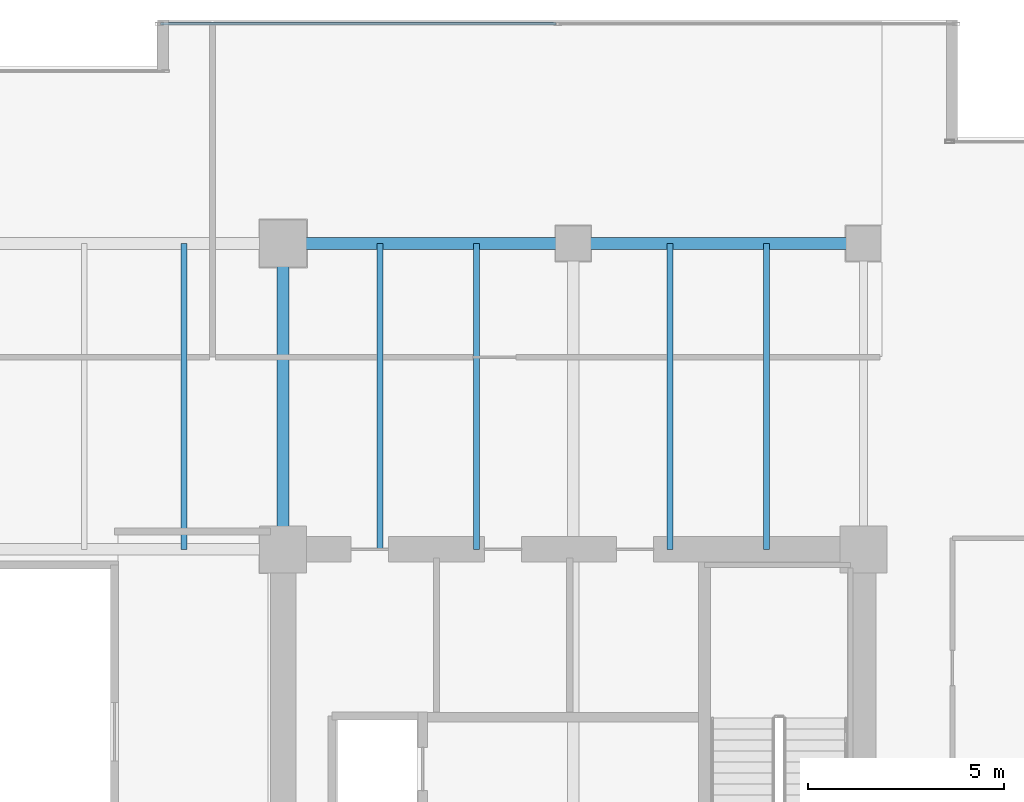
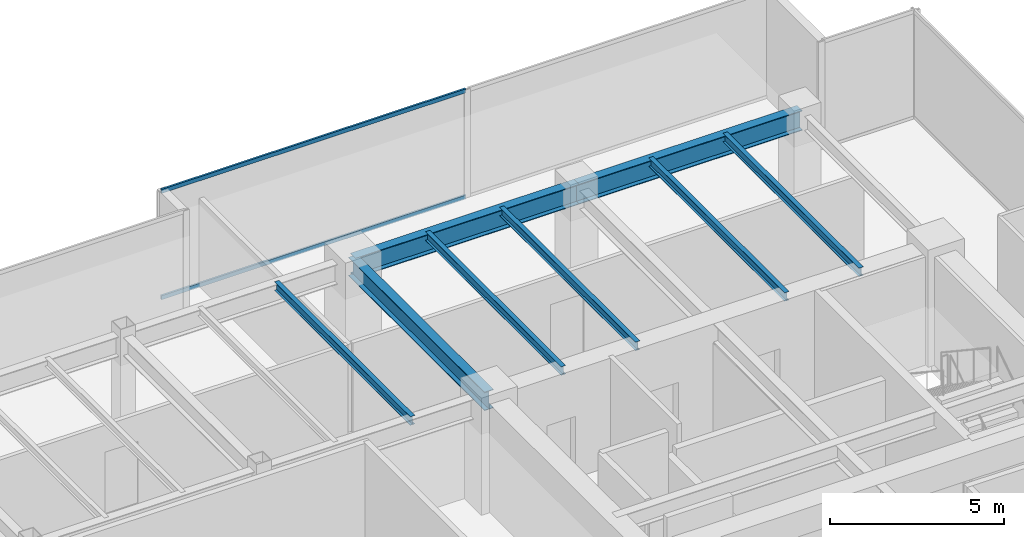
# One storey, part 19 of 33: 8 beams, 2 members, 1 element without a shape of its own.
"""IFC4 building model written with IfcOpenShell, lengths in metres."""

from ifc_helpers import new_model, si_unit, direction, frame, origin, origin_2d, place, context, subcontext, project, spatial, hollow_rectangle, i_section, extrude, source, transform, mapped, material, layer, layer_set, material_profile, profile_set, type_object, type_shapes, element, aggregate, save


model = new_model("IFC4")

# Units and contexts
model_context = context("Model", 3, precision=1e-05, world=origin(), true_north=direction((0.0, 1.0)))
body_context = subcontext(model_context, "Body", "Model", "MODEL_VIEW")
ifc_project = project(units=[si_unit("LENGTHUNIT", "METRE"), si_unit("AREAUNIT", "SQUARE_METRE"), si_unit("VOLUMEUNIT", "CUBIC_METRE"), si_unit("PLANEANGLEUNIT", "RADIAN"), si_unit("MASSUNIT", "GRAM", prefix="KILO")], contexts=[model_context])

# Site, building, storey
site_placement = place(None, origin())
site = spatial("IfcSite", under=ifc_project, at=site_placement, CompositionType="ELEMENT")
building_placement = place(site_placement, origin())
building = spatial("IfcBuilding", under=site, at=building_placement, Name="Haelvirn Gate Laboratories", CompositionType="ELEMENT")
storey_placement = place(building_placement, frame((0.0, 0.0, 117.39990234375)))
storey = spatial("IfcBuildingStorey", under=building, at=storey_placement, Name="L28", CompositionType="ELEMENT", Elevation=117.39990234375)

# Beams
ifc_material_1 = material(Name="Steel SM355", Category="steel")
ifc_material_profile_1 = material_profile(ifc_material_1, i_section(OverallWidth=0.300048828125, OverallDepth=0.64990234375, WebThickness=0.012939453125, FlangeThickness=0.02197265625, at=origin_2d()), Name="H-650x300x13x22")
ifc_profile_set_1 = profile_set([ifc_material_profile_1], Name="Steel SM355")
beam_type_1 = type_object("IfcBeamType", Name="BM-G-650", PredefinedType="BEAM", material=ifc_profile_set_1)
shared_shape_1 = source(origin(), body_context, "Body", "SweptSolid", [
    extrude(i_section(OverallWidth=0.300048828125, OverallDepth=0.64990234375, WebThickness=0.012939453125, FlangeThickness=0.02197265625, at=origin_2d()), origin(), (0.0, 0.0, 1.0), 7.800048828125),
])
type_shapes(beam_type_1, [shared_shape_1])
beam_placement = place(storey_placement, frame((52.60009765625, 33.800048828125, 3.465087890625), z_axis=(0.0, 1.0, 0.0), x_axis=(-1.0, 0.0, 0.0)))
element("IfcBeam", 1, at=beam_placement, inside=storey, type_object=beam_type_1, Name="L28 Frame Girder X52.6 (33.8-41.6)", PredefinedType="BEAM", context=body_context, shape_type="MappedRepresentation", body=[
    mapped(shared_shape_1, transform((0.0, 0.0, 0.0), scale=1.0)),
])
ifc_material_profile_2 = material_profile(ifc_material_1, i_section(OverallWidth=0.300048828125, OverallDepth=0.699951171875, WebThickness=0.012939453125, FlangeThickness=0.02392578125, at=origin_2d()), Name="H-700x300x13x24")
ifc_profile_set_2 = profile_set([ifc_material_profile_2], Name="Steel SM355")
beam_type_2 = type_object("IfcBeamType", Name="BM-G-700", PredefinedType="BEAM", material=ifc_profile_set_2)
shared_shape_2 = source(origin(), body_context, "Body", "SweptSolid", [
    extrude(i_section(OverallWidth=0.300048828125, OverallDepth=0.699951171875, WebThickness=0.012939453125, FlangeThickness=0.02392578125, at=origin_2d()), origin(), (0.0, 0.0, 1.0), 7.39990234375),
])
type_shapes(beam_type_2, [shared_shape_2])
for number, where, z_axis, x_axis, name in (
    (2, (52.60009765625, 41.60009765625, 3.440185546875), (1.0, 0.0, 0.0), (0.0, 1.0, 0.0), "L28 Primary Girder Y41.6 (52.6-60.0)"),
    (3, (60.0, 41.60009765625, 3.440185546875), (1.0, 0.0, 0.0), (0.0, 1.0, 0.0), "L28 Primary Girder Y41.6 (60.0-67.4)"),
):
    element("IfcBeam", number, at=place(storey_placement, frame(where, z_axis=z_axis, x_axis=x_axis)), inside=storey, type_object=beam_type_2, Name=name, PredefinedType="BEAM", context=body_context, shape_type="MappedRepresentation", body=[
        mapped(shared_shape_2, transform((0.0, 0.0, 0.0), scale=1.0)),
    ])
ifc_material_profile_3 = material_profile(ifc_material_1, i_section(OverallWidth=0.14990234375, OverallDepth=0.300048828125, WebThickness=0.006591796875, FlangeThickness=0.009033203125, at=origin_2d()), Name="H-300x150x6.5x9")
ifc_profile_set_3 = profile_set([ifc_material_profile_3], Name="Steel SM355")
beam_type_3 = type_object("IfcBeamType", Name="BM-J-300", PredefinedType="JOIST", material=ifc_profile_set_3)
shared_shape_3 = source(origin(), body_context, "Body", "SweptSolid", [
    extrude(i_section(OverallWidth=0.14990234375, OverallDepth=0.300048828125, WebThickness=0.006591796875, FlangeThickness=0.009033203125, at=origin_2d()), origin(), (0.0, 0.0, 1.0), 7.800048828125),
])
type_shapes(beam_type_3, [shared_shape_3])
for number, where, z_axis, x_axis, name in (
    (4, (50.070068359375, 33.800048828125, 3.64013671875), (0.0, 1.0, 0.0), (-1.0, 0.0, 0.0), "L28 Composite Lab Joist North X50.07"),
    (5, (55.070068359375, 33.800048828125, 3.64013671875), (0.0, 1.0, 0.0), (-1.0, 0.0, 0.0), "L28 Composite Lab Joist North X55.07"),
    (6, (57.530029296875, 33.800048828125, 3.64013671875), (0.0, 1.0, 0.0), (-1.0, 0.0, 0.0), "L28 Composite Lab Joist North X57.53"),
    (7, (62.469970703125, 33.800048828125, 3.64013671875), (0.0, 1.0, 0.0), (-1.0, 0.0, 0.0), "L28 Composite Lab Joist North X62.47"),
    (8, (64.929931640625, 33.800048828125, 3.64013671875), (0.0, 1.0, 0.0), (-1.0, 0.0, 0.0), "L28 Composite Lab Joist North X64.93"),
):
    element("IfcBeam", number, at=place(storey_placement, frame(where, z_axis=z_axis, x_axis=x_axis)), inside=storey, type_object=beam_type_3, Name=name, PredefinedType="JOIST", context=body_context, shape_type="MappedRepresentation", body=[
        mapped(shared_shape_3, transform((0.0, 0.0, 0.0), scale=1.0)),
    ])

# Curtain wall, members
ifc_material_2 = material(Name="Anodised bronze unitised aluminium & triple low-E glass", Category="aluminium")
ifc_layer = layer(ifc_material_2, 0.179931640625, Name="CW-SYS-3")
ifc_layer_set = layer_set([ifc_layer], Name="Anodised bronze unitised aluminium & triple low-E glass")
curtain_wall_type = type_object("IfcCurtainWallType", Name="CW-SYS-3", PredefinedType="NOTDEFINED", material=ifc_layer_set)
curtain_wall_placement = place(storey_placement, origin())
curtain_wall = element("IfcCurtainWall", 9, at=curtain_wall_placement, inside=storey, type_object=curtain_wall_type, Name="L28 Unitised Curtain Wall CW-L28-P0-E10-1", PredefinedType="NOTDEFINED")
ifc_material_3 = material(Name="Extruded aluminium 6063-T6 (anodised bronze)", Category="aluminium")
ifc_material_profile_4 = material_profile(ifc_material_3, hollow_rectangle(XDim=0.06494140625, YDim=0.139892578125, WallThickness=0.00390625, at=origin_2d()), Name="CWT-140x65x4")
ifc_profile_set_4 = profile_set([ifc_material_profile_4], Name="Extruded aluminium 6063-T6 (anodised bronze)")
member_type = type_object("IfcMemberType", Name="CWT-T140", PredefinedType="USERDEFINED", material=ifc_profile_set_4)
shared_shape_4 = source(origin(), body_context, "Body", "SweptSolid", [
    extrude(hollow_rectangle(XDim=0.06494140625, YDim=0.139892578125, WallThickness=0.00390625, at=origin_2d()), origin(), (0.0, 0.0, 1.0), 10.08740234375),
])
type_shapes(member_type, [shared_shape_4])
member_1_placement = place(storey_placement, frame((49.47509765625, 47.199951171875, 0.03271484375), z_axis=(1.0, 0.0, 0.0), x_axis=(0.0, 1.0, 0.0)))
member_1 = element("IfcMember", 10, at=member_1_placement, type_object=member_type, Name="CW3 transom 1.1", ObjectType="TRANSOM", PredefinedType="USERDEFINED", context=body_context, shape_type="MappedRepresentation", body=[
    mapped(shared_shape_4, transform((0.0, 0.0, 0.0), scale=1.0)),
])
member_2_placement = place(storey_placement, frame((49.47509765625, 47.199951171875, 3.757568359375), z_axis=(1.0, 0.0, 0.0), x_axis=(0.0, 1.0, 0.0)))
member_2 = element("IfcMember", 11, at=member_2_placement, type_object=member_type, Name="CW3 transom 1.2", ObjectType="TRANSOM", PredefinedType="USERDEFINED", context=body_context, shape_type="MappedRepresentation", body=[
    mapped(shared_shape_4, transform((0.0, 0.0, 0.0), scale=1.0)),
])
aggregate(curtain_wall, [member_1, member_2])

save(model, "model.ifc")
